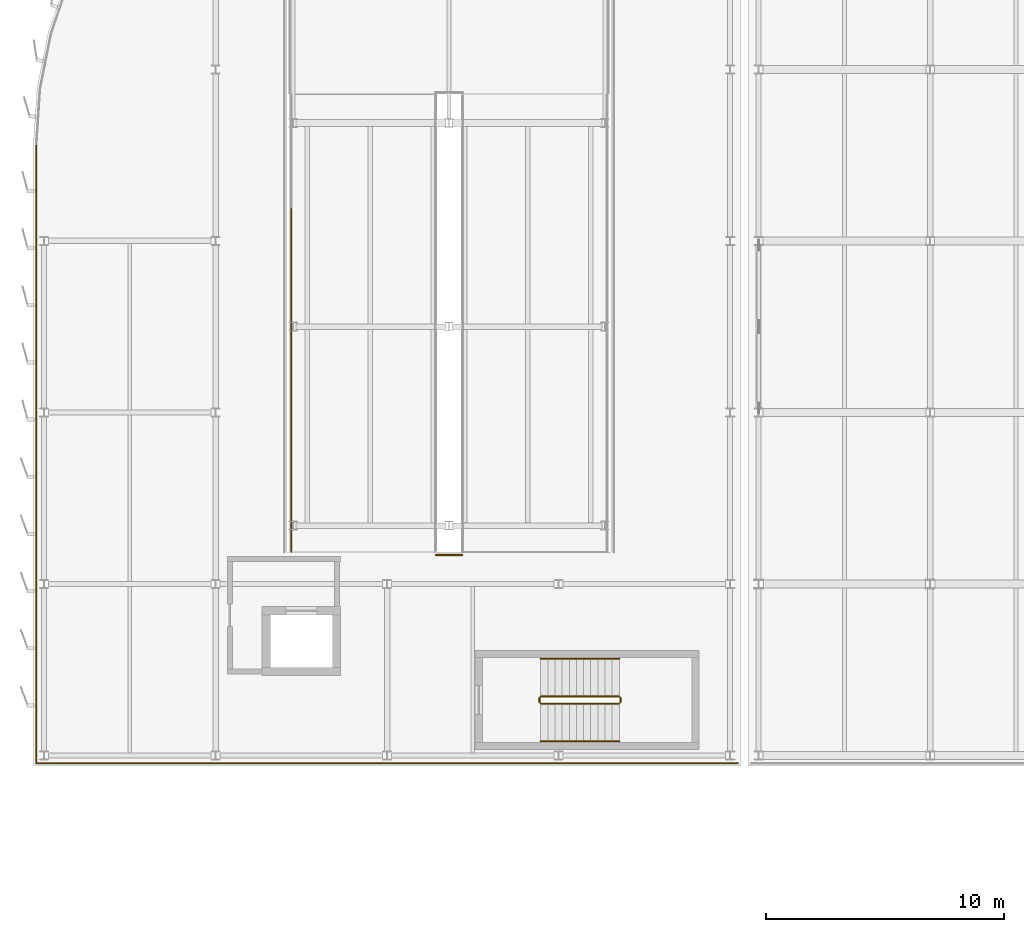
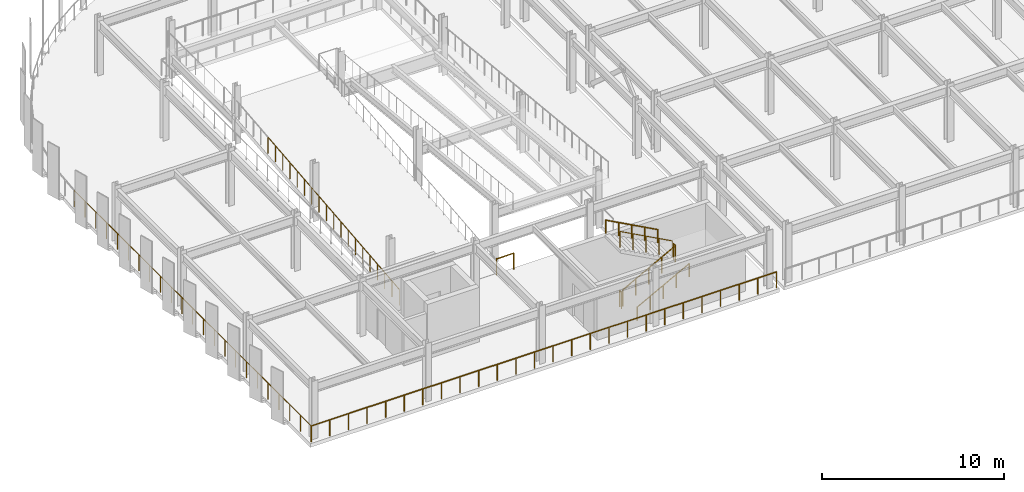
# One storey, part 63 of 80: 12 railings.
"""IFC4 building model written with IfcOpenShell, lengths in metres."""

from ifc_helpers import new_model, si_unit, direction, frame, origin, origin_2d, place, context, subcontext, project, spatial, circle, extrude, material, layer, layer_set, type_object, element, save


model = new_model("IFC4")

# Units and contexts
model_context = context("Model", 3, precision=1e-05, world=origin(), true_north=direction((0.0, 1.0)))
body_context = subcontext(model_context, "Body", "Model", "MODEL_VIEW")
ifc_project = project(units=[si_unit("LENGTHUNIT", "METRE"), si_unit("AREAUNIT", "SQUARE_METRE"), si_unit("VOLUMEUNIT", "CUBIC_METRE"), si_unit("PLANEANGLEUNIT", "RADIAN"), si_unit("MASSUNIT", "GRAM", prefix="KILO")], contexts=[model_context])

# Site, building, storey
site_placement = place(None, origin())
site = spatial("IfcSite", under=ifc_project, at=site_placement, CompositionType="ELEMENT")
building_placement = place(site_placement, origin())
building = spatial("IfcBuilding", under=site, at=building_placement, Name="Vaelcorin Mobility Hub", CompositionType="ELEMENT")
storey_placement = place(building_placement, frame((0.0, 0.0, 9.300048828125)))
storey = spatial("IfcBuildingStorey", under=building, at=storey_placement, Name="L02", CompositionType="ELEMENT", Elevation=9.300048828125)

# Railings
ifc_material_1 = material(Name="Galvanised structural steel ASTM A36", Category="steel")
ifc_layer_1 = layer(ifc_material_1, 0.070068359375)
ifc_layer_set_1 = layer_set([ifc_layer_1], Name="Galvanised structural steel ASTM A36")
railing_type_1 = type_object("IfcRailingType", Name="RL-GUARD-1100", PredefinedType="BALUSTRADE", material=ifc_layer_set_1)
railing_1_placement = place(storey_placement, frame((22.449951171875, 85.219970703125, 0.0)))
element("IfcRailing", 1, at=railing_1_placement, inside=storey, type_object=railing_type_1, Name="L02 Perimeter Guard GR-V2W-L02-WELL-MED-01", PredefinedType="BALUSTRADE", context=body_context, shape_type="SweptSolid", body=[
    extrude(circle(Radius=0.02392578125, at=origin_2d()), frame((0.0, 0.0, 1.076171875), z_axis=(1.0, 0.0, 0.0), x_axis=(0.0, 1.0, 0.0)), (0.0, 0.0, 1.0), 1.10009765625),
    extrude(circle(Radius=0.02099609375, at=origin_2d()), origin(), (0.0, 0.0, 1.0), 1.052001953125),
    extrude(circle(Radius=0.02099609375, at=origin_2d()), frame((1.10009765625, 0.0, 0.0)), (0.0, 0.0, 1.0), 1.052001953125),
])
railing_2_placement = place(storey_placement, frame((16.3798828125, 85.360107421875, 0.0)))
element("IfcRailing", 2, at=railing_2_placement, inside=storey, type_object=railing_type_1, Name="L02 Ramp Guard GR-V2W-L02-FL1-W-01", PredefinedType="BALUSTRADE", context=body_context, shape_type="SweptSolid", body=[
    extrude(circle(Radius=0.02392578125, at=origin_2d()), frame((0.0, 0.0, 1.076171875), z_axis=(0.0, 0.994860105467, 0.10125892825), x_axis=(-1.0, 0.0, 0.0)), (0.0, 0.0, 1.0), 4.819580078125),
    extrude(circle(Radius=0.02099609375, at=origin_2d()), origin(), (0.0, 0.0, 1.0), 1.052001953125),
    extrude(circle(Radius=0.02099609375, at=origin_2d()), frame((0.0, 0.799072265625, 0.081298828125)), (0.0, 0.0, 1.0), 1.052001953125),
    extrude(circle(Radius=0.02099609375, at=origin_2d()), frame((0.0, 1.598388671875, 0.16259765625)), (0.0, 0.0, 1.0), 1.052001953125),
    extrude(circle(Radius=0.02099609375, at=origin_2d()), frame((0.0, 2.3974609375, 0.244140625)), (0.0, 0.0, 1.0), 1.052001953125),
    extrude(circle(Radius=0.02099609375, at=origin_2d()), frame((0.0, 3.196533203125, 0.325439453125)), (0.0, 0.0, 1.0), 1.052001953125),
    extrude(circle(Radius=0.02099609375, at=origin_2d()), frame((0.0, 3.995849609375, 0.40673828125)), (0.0, 0.0, 1.0), 1.052001953125),
    extrude(circle(Radius=0.02099609375, at=origin_2d()), frame((0.0, 4.794921875, 0.488037109375)), (0.0, 0.0, 1.0), 1.052001953125),
])
railing_3_placement = place(storey_placement, frame((16.3798828125, 90.155029296875, 0.488037109375)))
element("IfcRailing", 3, at=railing_3_placement, inside=storey, type_object=railing_type_1, Name="L02 Ramp Guard GR-V2W-L02-FL1-W-02", PredefinedType="BALUSTRADE", context=body_context, shape_type="SweptSolid", body=[
    extrude(circle(Radius=0.02392578125, at=origin_2d()), frame((0.0, 0.0, 1.076171875), z_axis=(0.0, 0.994885588968, 0.101008241568), x_axis=(-1.0, 0.0, 0.0)), (0.0, 0.0, 1.0), 4.819580078125),
    extrude(circle(Radius=0.02099609375, at=origin_2d()), origin(), (0.0, 0.0, 1.0), 1.052001953125),
    extrude(circle(Radius=0.02099609375, at=origin_2d()), frame((0.0, 0.799072265625, 0.0810546875)), (0.0, 0.0, 1.0), 1.052001953125),
    extrude(circle(Radius=0.02099609375, at=origin_2d()), frame((0.0, 1.598388671875, 0.162353515625)), (0.0, 0.0, 1.0), 1.052001953125),
    extrude(circle(Radius=0.02099609375, at=origin_2d()), frame((0.0, 2.3974609375, 0.243408203125)), (0.0, 0.0, 1.0), 1.052001953125),
    extrude(circle(Radius=0.02099609375, at=origin_2d()), frame((0.0, 3.196533203125, 0.324462890625)), (0.0, 0.0, 1.0), 1.052001953125),
    extrude(circle(Radius=0.02099609375, at=origin_2d()), frame((0.0, 3.995849609375, 0.40576171875)), (0.0, 0.0, 1.0), 1.052001953125),
    extrude(circle(Radius=0.02099609375, at=origin_2d()), frame((0.0, 4.794921875, 0.48681640625)), (0.0, 0.0, 1.0), 1.052001953125),
])
railing_4_placement = place(storey_placement, frame((16.3798828125, 94.949951171875, 0.974853515625)))
element("IfcRailing", 4, at=railing_4_placement, inside=storey, type_object=railing_type_1, Name="L02 Ramp Guard GR-V2W-L02-FL1-W-03", PredefinedType="BALUSTRADE", context=body_context, shape_type="SweptSolid", body=[
    extrude(circle(Radius=0.02392578125, at=origin_2d()), frame((0.0, 0.0, 1.076171875), z_axis=(0.0, 0.994881014515, 0.101053287712), x_axis=(-1.0, 0.0, 0.0)), (0.0, 0.0, 1.0), 4.81982421875),
    extrude(circle(Radius=0.02099609375, at=origin_2d()), origin(), (0.0, 0.0, 1.0), 1.052001953125),
    extrude(circle(Radius=0.02099609375, at=origin_2d()), frame((0.0, 0.79931640625, 0.0810546875)), (0.0, 0.0, 1.0), 1.052001953125),
    extrude(circle(Radius=0.02099609375, at=origin_2d()), frame((0.0, 1.598388671875, 0.162353515625)), (0.0, 0.0, 1.0), 1.052001953125),
    extrude(circle(Radius=0.02099609375, at=origin_2d()), frame((0.0, 2.3974609375, 0.24365234375)), (0.0, 0.0, 1.0), 1.052001953125),
    extrude(circle(Radius=0.02099609375, at=origin_2d()), frame((0.0, 3.19677734375, 0.32470703125)), (0.0, 0.0, 1.0), 1.052001953125),
    extrude(circle(Radius=0.02099609375, at=origin_2d()), frame((0.0, 3.99609375, 0.40576171875)), (0.0, 0.0, 1.0), 1.052001953125),
    extrude(circle(Radius=0.02099609375, at=origin_2d()), frame((0.0, 4.795166015625, 0.487060546875)), (0.0, 0.0, 1.0), 1.052001953125),
])
railing_5_placement = place(storey_placement, frame((35.1298828125, 76.469970703125, 0.0)))
element("IfcRailing", 5, at=railing_5_placement, inside=storey, type_object=railing_type_1, Name="L02 Perimeter Guard GR-V2W-L02-01", PredefinedType="BALUSTRADE", context=body_context, shape_type="SweptSolid", body=[
    extrude(circle(Radius=0.02392578125, at=origin_2d()), frame((0.0, 0.0, 1.076171875), z_axis=(-1.0, 0.0, 0.0), x_axis=(0.0, -1.0, 0.0)), (0.0, 0.0, 1.0), 29.4599609375),
    extrude(circle(Radius=0.02099609375, at=origin_2d()), origin(), (0.0, 0.0, 1.0), 1.052001953125),
    extrude(circle(Radius=0.02099609375, at=origin_2d()), frame((-1.178466796875, 0.0, 0.0)), (0.0, 0.0, 1.0), 1.052001953125),
    extrude(circle(Radius=0.02099609375, at=origin_2d()), frame((-2.356689453125, 0.0, 0.0)), (0.0, 0.0, 1.0), 1.052001953125),
    extrude(circle(Radius=0.02099609375, at=origin_2d()), frame((-3.53515625, 0.0, 0.0)), (0.0, 0.0, 1.0), 1.052001953125),
    extrude(circle(Radius=0.02099609375, at=origin_2d()), frame((-4.713623046875, 0.0, 0.0)), (0.0, 0.0, 1.0), 1.052001953125),
    extrude(circle(Radius=0.02099609375, at=origin_2d()), frame((-5.89208984375, 0.0, 0.0)), (0.0, 0.0, 1.0), 1.052001953125),
    extrude(circle(Radius=0.02099609375, at=origin_2d()), frame((-7.0703125, 0.0, 0.0)), (0.0, 0.0, 1.0), 1.052001953125),
    extrude(circle(Radius=0.02099609375, at=origin_2d()), frame((-8.248779296875, 0.0, 0.0)), (0.0, 0.0, 1.0), 1.052001953125),
    extrude(circle(Radius=0.02099609375, at=origin_2d()), frame((-9.42724609375, 0.0, 0.0)), (0.0, 0.0, 1.0), 1.052001953125),
    extrude(circle(Radius=0.02099609375, at=origin_2d()), frame((-10.60546875, 0.0, 0.0)), (0.0, 0.0, 1.0), 1.052001953125),
    extrude(circle(Radius=0.02099609375, at=origin_2d()), frame((-11.783935546875, 0.0, 0.0)), (0.0, 0.0, 1.0), 1.052001953125),
    extrude(circle(Radius=0.02099609375, at=origin_2d()), frame((-12.96240234375, 0.0, 0.0)), (0.0, 0.0, 1.0), 1.052001953125),
    extrude(circle(Radius=0.02099609375, at=origin_2d()), frame((-14.140869140625, 0.0, 0.0)), (0.0, 0.0, 1.0), 1.052001953125),
    extrude(circle(Radius=0.02099609375, at=origin_2d()), frame((-15.319091796875, 0.0, 0.0)), (0.0, 0.0, 1.0), 1.052001953125),
    extrude(circle(Radius=0.02099609375, at=origin_2d()), frame((-16.49755859375, 0.0, 0.0)), (0.0, 0.0, 1.0), 1.052001953125),
    extrude(circle(Radius=0.02099609375, at=origin_2d()), frame((-17.676025390625, 0.0, 0.0)), (0.0, 0.0, 1.0), 1.052001953125),
    extrude(circle(Radius=0.02099609375, at=origin_2d()), frame((-18.8544921875, 0.0, 0.0)), (0.0, 0.0, 1.0), 1.052001953125),
    extrude(circle(Radius=0.02099609375, at=origin_2d()), frame((-20.03271484375, 0.0, 0.0)), (0.0, 0.0, 1.0), 1.052001953125),
    extrude(circle(Radius=0.02099609375, at=origin_2d()), frame((-21.211181640625, 0.0, 0.0)), (0.0, 0.0, 1.0), 1.052001953125),
    extrude(circle(Radius=0.02099609375, at=origin_2d()), frame((-22.3896484375, 0.0, 0.0)), (0.0, 0.0, 1.0), 1.052001953125),
    extrude(circle(Radius=0.02099609375, at=origin_2d()), frame((-23.56787109375, 0.0, 0.0)), (0.0, 0.0, 1.0), 1.052001953125),
    extrude(circle(Radius=0.02099609375, at=origin_2d()), frame((-24.746337890625, 0.0, 0.0)), (0.0, 0.0, 1.0), 1.052001953125),
    extrude(circle(Radius=0.02099609375, at=origin_2d()), frame((-25.9248046875, 0.0, 0.0)), (0.0, 0.0, 1.0), 1.052001953125),
    extrude(circle(Radius=0.02099609375, at=origin_2d()), frame((-27.103271484375, 0.0, 0.0)), (0.0, 0.0, 1.0), 1.052001953125),
    extrude(circle(Radius=0.02099609375, at=origin_2d()), frame((-28.281494140625, 0.0, 0.0)), (0.0, 0.0, 1.0), 1.052001953125),
    extrude(circle(Radius=0.02099609375, at=origin_2d()), frame((-29.4599609375, 0.0, 0.0)), (0.0, 0.0, 1.0), 1.052001953125),
])
railing_6_placement = place(storey_placement, frame((5.669921875, 76.469970703125, 0.0)))
element("IfcRailing", 6, at=railing_6_placement, inside=storey, type_object=railing_type_1, Name="L02 Perimeter Guard GR-V2W-L02-02", PredefinedType="BALUSTRADE", context=body_context, shape_type="SweptSolid", body=[
    extrude(circle(Radius=0.02392578125, at=origin_2d()), frame((0.0, 0.0, 1.076171875), z_axis=(0.0, 1.0, 0.0), x_axis=(-1.0, 0.0, 0.0)), (0.0, 0.0, 1.0), 25.97998046875),
    extrude(circle(Radius=0.02099609375, at=origin_2d()), origin(), (0.0, 0.0, 1.0), 1.052001953125),
    extrude(circle(Radius=0.02099609375, at=origin_2d()), frame((0.0, 1.180908203125, 0.0)), (0.0, 0.0, 1.0), 1.052001953125),
    extrude(circle(Radius=0.02099609375, at=origin_2d()), frame((0.0, 2.36181640625, 0.0)), (0.0, 0.0, 1.0), 1.052001953125),
    extrude(circle(Radius=0.02099609375, at=origin_2d()), frame((0.0, 3.542724609375, 0.0)), (0.0, 0.0, 1.0), 1.052001953125),
    extrude(circle(Radius=0.02099609375, at=origin_2d()), frame((0.0, 4.7236328125, 0.0)), (0.0, 0.0, 1.0), 1.052001953125),
    extrude(circle(Radius=0.02099609375, at=origin_2d()), frame((0.0, 5.904541015625, 0.0)), (0.0, 0.0, 1.0), 1.052001953125),
    extrude(circle(Radius=0.02099609375, at=origin_2d()), frame((0.0, 7.08544921875, 0.0)), (0.0, 0.0, 1.0), 1.052001953125),
    extrude(circle(Radius=0.02099609375, at=origin_2d()), frame((0.0, 8.266357421875, 0.0)), (0.0, 0.0, 1.0), 1.052001953125),
    extrude(circle(Radius=0.02099609375, at=origin_2d()), frame((0.0, 9.447265625, 0.0)), (0.0, 0.0, 1.0), 1.052001953125),
    extrude(circle(Radius=0.02099609375, at=origin_2d()), frame((0.0, 10.628173828125, 0.0)), (0.0, 0.0, 1.0), 1.052001953125),
    extrude(circle(Radius=0.02099609375, at=origin_2d()), frame((0.0, 11.80908203125, 0.0)), (0.0, 0.0, 1.0), 1.052001953125),
    extrude(circle(Radius=0.02099609375, at=origin_2d()), frame((0.0, 12.989990234375, 0.0)), (0.0, 0.0, 1.0), 1.052001953125),
    extrude(circle(Radius=0.02099609375, at=origin_2d()), frame((0.0, 14.1708984375, 0.0)), (0.0, 0.0, 1.0), 1.052001953125),
    extrude(circle(Radius=0.02099609375, at=origin_2d()), frame((0.0, 15.351806640625, 0.0)), (0.0, 0.0, 1.0), 1.052001953125),
    extrude(circle(Radius=0.02099609375, at=origin_2d()), frame((0.0, 16.53271484375, 0.0)), (0.0, 0.0, 1.0), 1.052001953125),
    extrude(circle(Radius=0.02099609375, at=origin_2d()), frame((0.0, 17.713623046875, 0.0)), (0.0, 0.0, 1.0), 1.052001953125),
    extrude(circle(Radius=0.02099609375, at=origin_2d()), frame((0.0, 18.89453125, 0.0)), (0.0, 0.0, 1.0), 1.052001953125),
    extrude(circle(Radius=0.02099609375, at=origin_2d()), frame((0.0, 20.075439453125, 0.0)), (0.0, 0.0, 1.0), 1.052001953125),
    extrude(circle(Radius=0.02099609375, at=origin_2d()), frame((0.0, 21.25634765625, 0.0)), (0.0, 0.0, 1.0), 1.052001953125),
    extrude(circle(Radius=0.02099609375, at=origin_2d()), frame((0.0, 22.437255859375, 0.0)), (0.0, 0.0, 1.0), 1.052001953125),
    extrude(circle(Radius=0.02099609375, at=origin_2d()), frame((0.0, 23.6181640625, 0.0)), (0.0, 0.0, 1.0), 1.052001953125),
    extrude(circle(Radius=0.02099609375, at=origin_2d()), frame((0.0, 24.799072265625, 0.0)), (0.0, 0.0, 1.0), 1.052001953125),
    extrude(circle(Radius=0.02099609375, at=origin_2d()), frame((0.0, 25.97998046875, 0.0)), (0.0, 0.0, 1.0), 1.052001953125),
])
ifc_material_2 = material(Name="Brushed stainless steel 316L", Category="steel")
ifc_layer_2 = layer(ifc_material_2, 0.048095703125)
ifc_layer_set_2 = layer_set([ifc_layer_2], Name="Brushed stainless steel 316L")
railing_type_2 = type_object("IfcRailingType", Name="RL-STAIR-GRD", PredefinedType="GUARDRAIL", material=ifc_layer_set_2)
railing_7_placement = place(storey_placement, frame((26.85009765625, 78.97998046875, 0.162353515625)))
element("IfcRailing", 7, at=railing_7_placement, inside=storey, type_object=railing_type_2, Name="L02 ST1 stair guard 1", PredefinedType="GUARDRAIL", context=body_context, shape_type="SweptSolid", body=[
    extrude(circle(Radius=0.02392578125, at=origin_2d()), frame((0.0, 0.0, 1.076171875), z_axis=(0.879269262144, 0.0, 0.476325061958), x_axis=(0.0, 1.0, 0.0)), (0.0, 0.0, 1.0), 3.7529296875),
    extrude(circle(Radius=0.02099609375, at=origin_2d()), origin(), (0.0, 0.0, 1.0), 1.052001953125),
    extrude(circle(Radius=0.02099609375, at=origin_2d()), frame((0.824951171875, 0.0, 0.44677734375)), (0.0, 0.0, 1.0), 1.052001953125),
    extrude(circle(Radius=0.02099609375, at=origin_2d()), frame((1.64990234375, 0.0, 0.893798828125)), (0.0, 0.0, 1.0), 1.052001953125),
    extrude(circle(Radius=0.02099609375, at=origin_2d()), frame((2.474853515625, 0.0, 1.3408203125)), (0.0, 0.0, 1.0), 1.052001953125),
    extrude(circle(Radius=0.02099609375, at=origin_2d()), frame((3.2998046875, 0.0, 1.78759765625)), (0.0, 0.0, 1.0), 1.052001953125),
])
railing_8_placement = place(storey_placement, frame((30.199951171875, 79.030029296875, 1.949951171875)))
element("IfcRailing", 8, at=railing_8_placement, inside=storey, type_object=railing_type_2, Name="L02 ST1 stair guard 2", PredefinedType="GUARDRAIL", context=body_context, shape_type="SweptSolid", body=[
    extrude(circle(Radius=0.02392578125, at=origin_2d()), frame((0.0, 0.0, 1.076171875), z_axis=(0.0, 1.0, 0.0), x_axis=(-1.0, 0.0, 0.0)), (0.0, 0.0, 1.0), 0.199951171875),
    extrude(circle(Radius=0.02099609375, at=origin_2d()), origin(), (0.0, 0.0, 1.0), 1.052001953125),
    extrude(circle(Radius=0.02099609375, at=origin_2d()), frame((0.0, 0.199951171875, 0.0)), (0.0, 0.0, 1.0), 1.052001953125),
])
railing_9_placement = place(storey_placement, frame((30.14990234375, 79.280029296875, 2.112548828125)))
element("IfcRailing", 9, at=railing_9_placement, inside=storey, type_object=railing_type_2, Name="L02 ST1 stair guard 3", PredefinedType="GUARDRAIL", context=body_context, shape_type="SweptSolid", body=[
    extrude(circle(Radius=0.02392578125, at=origin_2d()), frame((0.0, 0.0, 1.076171875), z_axis=(-0.879296507316, 0.0, 0.476274765468), x_axis=(0.0, -1.0, 0.0)), (0.0, 0.0, 1.0), 3.752685546875),
    extrude(circle(Radius=0.02099609375, at=origin_2d()), origin(), (0.0, 0.0, 1.0), 1.052001953125),
    extrude(circle(Radius=0.02099609375, at=origin_2d()), frame((-0.824951171875, 0.0, 0.44677734375)), (0.0, 0.0, 1.0), 1.052001953125),
    extrude(circle(Radius=0.02099609375, at=origin_2d()), frame((-1.64990234375, 0.0, 0.8935546875)), (0.0, 0.0, 1.0), 1.052001953125),
    extrude(circle(Radius=0.02099609375, at=origin_2d()), frame((-2.474853515625, 0.0, 1.340576171875)), (0.0, 0.0, 1.0), 1.052001953125),
    extrude(circle(Radius=0.02099609375, at=origin_2d()), frame((-3.2998046875, 0.0, 1.787353515625)), (0.0, 0.0, 1.0), 1.052001953125),
])
railing_10_placement = place(storey_placement, frame((26.800048828125, 79.030029296875, 0.0)))
element("IfcRailing", 10, at=railing_10_placement, inside=storey, type_object=railing_type_2, Name="L02 ST1 stair guard 4", PredefinedType="GUARDRAIL", context=body_context, shape_type="SweptSolid", body=[
    extrude(circle(Radius=0.02392578125, at=origin_2d()), frame((0.0, 0.0, 1.076171875), z_axis=(0.0, 1.0, 0.0), x_axis=(-1.0, 0.0, 0.0)), (0.0, 0.0, 1.0), 0.199951171875),
    extrude(circle(Radius=0.02099609375, at=origin_2d()), origin(), (0.0, 0.0, 1.0), 1.052001953125),
    extrude(circle(Radius=0.02099609375, at=origin_2d()), frame((0.0, 0.199951171875, 0.0)), (0.0, 0.0, 1.0), 1.052001953125),
])
ifc_layer_3 = layer(ifc_material_2, 0.048095703125)
ifc_layer_set_3 = layer_set([ifc_layer_3], Name="Brushed stainless steel 316L")
railing_type_3 = type_object("IfcRailingType", Name="RL-STAIR-HR", PredefinedType="HANDRAIL", material=ifc_layer_set_3)
railing_11_placement = place(storey_placement, frame((26.85009765625, 77.39990234375, 0.162353515625)))
element("IfcRailing", 11, at=railing_11_placement, inside=storey, type_object=railing_type_3, Name="L02 ST1 stair handrail 1", PredefinedType="HANDRAIL", context=body_context, shape_type="SweptSolid", body=[
    extrude(circle(Radius=0.02392578125, at=origin_2d()), frame((0.0, 0.0, 0.8759765625), z_axis=(0.879269262144, 0.0, 0.476325061958), x_axis=(0.0, 1.0, 0.0)), (0.0, 0.0, 1.0), 3.7529296875),
    extrude(circle(Radius=0.02099609375, at=origin_2d()), origin(), (0.0, 0.0, 1.0), 0.851806640625),
    extrude(circle(Radius=0.02099609375, at=origin_2d()), frame((0.824951171875, 0.0, 0.44677734375)), (0.0, 0.0, 1.0), 0.851806640625),
    extrude(circle(Radius=0.02099609375, at=origin_2d()), frame((1.64990234375, 0.0, 0.893798828125)), (0.0, 0.0, 1.0), 0.851806640625),
    extrude(circle(Radius=0.02099609375, at=origin_2d()), frame((2.474853515625, 0.0, 1.3408203125)), (0.0, 0.0, 1.0), 0.851806640625),
    extrude(circle(Radius=0.02099609375, at=origin_2d()), frame((3.2998046875, 0.0, 1.78759765625)), (0.0, 0.0, 1.0), 0.851806640625),
])
railing_12_placement = place(storey_placement, frame((30.14990234375, 80.860107421875, 2.112548828125)))
element("IfcRailing", 12, at=railing_12_placement, inside=storey, type_object=railing_type_3, Name="L02 ST1 stair handrail 2", PredefinedType="HANDRAIL", context=body_context, shape_type="SweptSolid", body=[
    extrude(circle(Radius=0.02392578125, at=origin_2d()), frame((0.0, 0.0, 0.8759765625), z_axis=(-0.879296507316, 0.0, 0.476274765468), x_axis=(0.0, -1.0, 0.0)), (0.0, 0.0, 1.0), 3.752685546875),
    extrude(circle(Radius=0.02099609375, at=origin_2d()), origin(), (0.0, 0.0, 1.0), 0.851806640625),
    extrude(circle(Radius=0.02099609375, at=origin_2d()), frame((-0.824951171875, 0.0, 0.44677734375)), (0.0, 0.0, 1.0), 0.851806640625),
    extrude(circle(Radius=0.02099609375, at=origin_2d()), frame((-1.64990234375, 0.0, 0.8935546875)), (0.0, 0.0, 1.0), 0.851806640625),
    extrude(circle(Radius=0.02099609375, at=origin_2d()), frame((-2.474853515625, 0.0, 1.340576171875)), (0.0, 0.0, 1.0), 0.851806640625),
    extrude(circle(Radius=0.02099609375, at=origin_2d()), frame((-3.2998046875, 0.0, 1.787353515625)), (0.0, 0.0, 1.0), 0.851806640625),
])

save(model, "model.ifc")
